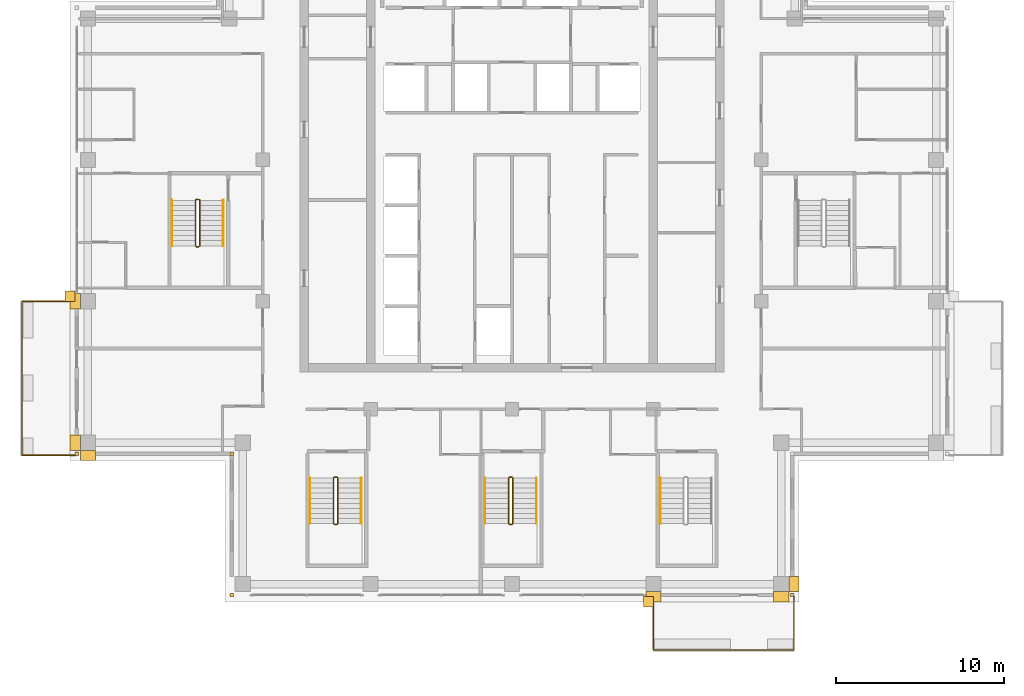
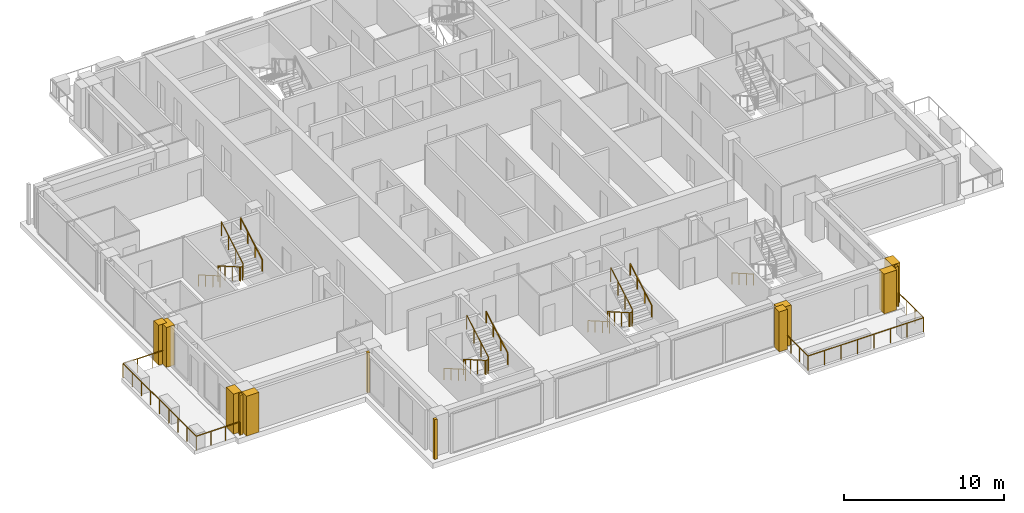
# One storey, part 17 of 19: 12 coverings, 12 railings.
"""IFC4 building model written with IfcOpenShell, lengths in metres."""

from ifc_helpers import new_model, si_unit, direction, frame, origin, origin_2d, place, context, subcontext, project, spatial, polyline, rectangle, outline, extrude, material, type_object, element, save


model = new_model("IFC4")

# Units and contexts
model_context = context("Model", 3, precision=1e-05, world=origin(), true_north=direction((0.0, 1.0)))
body_context = subcontext(model_context, "Body", "Model", "MODEL_VIEW")
ifc_project = project(units=[si_unit("LENGTHUNIT", "METRE"), si_unit("AREAUNIT", "SQUARE_METRE"), si_unit("VOLUMEUNIT", "CUBIC_METRE"), si_unit("PLANEANGLEUNIT", "RADIAN"), si_unit("MASSUNIT", "GRAM", prefix="KILO")], contexts=[model_context])

# Site, building, storey
site_placement = place(None, origin())
site = spatial("IfcSite", under=ifc_project, at=site_placement, CompositionType="ELEMENT")
building_placement = place(site_placement, origin())
building = spatial("IfcBuilding", under=site, at=building_placement, Name="Vermilion Ogive Tower", CompositionType="ELEMENT")
storey_placement = place(building_placement, frame((0.0, 0.0, 226.89990234375)))
storey = spatial("IfcBuildingStorey", under=building, at=storey_placement, Name="L59", CompositionType="ELEMENT", Elevation=226.89990234375)

# Railings
ifc_material_1 = material(Name="Stainless steel and glass", Category="steel")
railing_type_1 = type_object("IfcRailingType", Name="Balcony guard", PredefinedType="GUARDRAIL", material=ifc_material_1)
railing_1_placement = place(storey_placement, frame((8.39990234375, -21.75, -0.039794921875)))
element("IfcRailing", 1, at=railing_1_placement, inside=storey, type_object=railing_type_1, Name="Guard S04", PredefinedType="GUARDRAIL", context=body_context, shape_type="SweptSolid", body=[
    extrude(rectangle(XDim=0.048095703125, YDim=0.048095703125, at=origin_2d()), frame((0.0, 0.0, 1.076171875), z_axis=(0.0, -1.0, 0.0), x_axis=(1.0, 0.0, 0.0)), (0.0, 0.0, 1.0), 3.159912109375),
    extrude(rectangle(XDim=0.048095703125, YDim=0.048095703125, at=origin_2d()), frame((0.0, -3.159912109375, 1.076171875), z_axis=(1.0, 0.0, 0.0), x_axis=(0.0, 1.0, 0.0)), (0.0, 0.0, 1.0), 8.35009765625),
    extrude(rectangle(XDim=0.048095703125, YDim=0.048095703125, at=origin_2d()), frame((8.35009765625, -3.159912109375, 1.076171875), z_axis=(0.0, 1.0, 0.0), x_axis=(-1.0, 0.0, 0.0)), (0.0, 0.0, 1.0), 3.159912109375),
    extrude(rectangle(XDim=0.0419921875, YDim=0.0419921875, at=origin_2d()), origin(), (0.0, 0.0, 1.0), 1.052001953125),
    extrude(rectangle(XDim=0.0419921875, YDim=0.0419921875, at=origin_2d()), frame((0.0, -1.05322265625, 0.0)), (0.0, 0.0, 1.0), 1.052001953125),
    extrude(rectangle(XDim=0.0419921875, YDim=0.0419921875, at=origin_2d()), frame((0.0, -2.106689453125, 0.0)), (0.0, 0.0, 1.0), 1.052001953125),
    extrude(rectangle(XDim=0.0419921875, YDim=0.0419921875, at=origin_2d()), frame((0.0, -3.159912109375, 0.0)), (0.0, 0.0, 1.0), 1.052001953125),
    extrude(rectangle(XDim=0.0419921875, YDim=0.0419921875, at=origin_2d()), frame((1.19287109375, -3.159912109375, 0.0)), (0.0, 0.0, 1.0), 1.052001953125),
    extrude(rectangle(XDim=0.0419921875, YDim=0.0419921875, at=origin_2d()), frame((2.3857421875, -3.159912109375, 0.0)), (0.0, 0.0, 1.0), 1.052001953125),
    extrude(rectangle(XDim=0.0419921875, YDim=0.0419921875, at=origin_2d()), frame((3.57861328125, -3.159912109375, 0.0)), (0.0, 0.0, 1.0), 1.052001953125),
    extrude(rectangle(XDim=0.0419921875, YDim=0.0419921875, at=origin_2d()), frame((4.771484375, -3.159912109375, 0.0)), (0.0, 0.0, 1.0), 1.052001953125),
    extrude(rectangle(XDim=0.0419921875, YDim=0.0419921875, at=origin_2d()), frame((5.96435546875, -3.159912109375, 0.0)), (0.0, 0.0, 1.0), 1.052001953125),
    extrude(rectangle(XDim=0.0419921875, YDim=0.0419921875, at=origin_2d()), frame((7.1572265625, -3.159912109375, 0.0)), (0.0, 0.0, 1.0), 1.052001953125),
    extrude(rectangle(XDim=0.0419921875, YDim=0.0419921875, at=origin_2d()), frame((8.35009765625, -3.159912109375, 0.0)), (0.0, 0.0, 1.0), 1.052001953125),
    extrude(rectangle(XDim=0.0419921875, YDim=0.0419921875, at=origin_2d()), frame((8.35009765625, -2.106689453125, 0.0)), (0.0, 0.0, 1.0), 1.052001953125),
    extrude(rectangle(XDim=0.0419921875, YDim=0.0419921875, at=origin_2d()), frame((8.35009765625, -1.05322265625, 0.0)), (0.0, 0.0, 1.0), 1.052001953125),
    extrude(rectangle(XDim=0.0419921875, YDim=0.0419921875, at=origin_2d()), frame((8.35009765625, 0.0, 0.0)), (0.0, 0.0, 1.0), 1.052001953125),
])
railing_2_placement = place(storey_placement, frame((-25.949951171875, -4.199951171875, -0.039794921875)))
element("IfcRailing", 2, at=railing_2_placement, inside=storey, type_object=railing_type_1, Name="Guard W03", PredefinedType="GUARDRAIL", context=body_context, shape_type="SweptSolid", body=[
    extrude(rectangle(XDim=0.048095703125, YDim=0.048095703125, at=origin_2d()), frame((0.0, 0.0, 1.076171875), z_axis=(-1.0, 0.0, 0.0), x_axis=(0.0, -1.0, 0.0)), (0.0, 0.0, 1.0), 3.16015625),
    extrude(rectangle(XDim=0.048095703125, YDim=0.048095703125, at=origin_2d()), frame((-3.16015625, 0.0, 1.076171875), z_axis=(0.0, -1.0, 0.0), x_axis=(1.0, 0.0, 0.0)), (0.0, 0.0, 1.0), 9.150146484375),
    extrude(rectangle(XDim=0.048095703125, YDim=0.048095703125, at=origin_2d()), frame((-3.16015625, -9.150146484375, 1.076171875), z_axis=(1.0, 0.0, 0.0), x_axis=(0.0, 1.0, 0.0)), (0.0, 0.0, 1.0), 3.16015625),
    extrude(rectangle(XDim=0.0419921875, YDim=0.0419921875, at=origin_2d()), origin(), (0.0, 0.0, 1.0), 1.052001953125),
    extrude(rectangle(XDim=0.0419921875, YDim=0.0419921875, at=origin_2d()), frame((-1.053466796875, 0.0, 0.0)), (0.0, 0.0, 1.0), 1.052001953125),
    extrude(rectangle(XDim=0.0419921875, YDim=0.0419921875, at=origin_2d()), frame((-2.106689453125, 0.0, 0.0)), (0.0, 0.0, 1.0), 1.052001953125),
    extrude(rectangle(XDim=0.0419921875, YDim=0.0419921875, at=origin_2d()), frame((-3.16015625, 0.0, 0.0)), (0.0, 0.0, 1.0), 1.052001953125),
    extrude(rectangle(XDim=0.0419921875, YDim=0.0419921875, at=origin_2d()), frame((-3.16015625, -1.143798828125, 0.0)), (0.0, 0.0, 1.0), 1.052001953125),
    extrude(rectangle(XDim=0.0419921875, YDim=0.0419921875, at=origin_2d()), frame((-3.16015625, -2.28759765625, 0.0)), (0.0, 0.0, 1.0), 1.052001953125),
    extrude(rectangle(XDim=0.0419921875, YDim=0.0419921875, at=origin_2d()), frame((-3.16015625, -3.431396484375, 0.0)), (0.0, 0.0, 1.0), 1.052001953125),
    extrude(rectangle(XDim=0.0419921875, YDim=0.0419921875, at=origin_2d()), frame((-3.16015625, -4.5751953125, 0.0)), (0.0, 0.0, 1.0), 1.052001953125),
    extrude(rectangle(XDim=0.0419921875, YDim=0.0419921875, at=origin_2d()), frame((-3.16015625, -5.71875, 0.0)), (0.0, 0.0, 1.0), 1.052001953125),
    extrude(rectangle(XDim=0.0419921875, YDim=0.0419921875, at=origin_2d()), frame((-3.16015625, -6.862548828125, 0.0)), (0.0, 0.0, 1.0), 1.052001953125),
    extrude(rectangle(XDim=0.0419921875, YDim=0.0419921875, at=origin_2d()), frame((-3.16015625, -8.00634765625, 0.0)), (0.0, 0.0, 1.0), 1.052001953125),
    extrude(rectangle(XDim=0.0419921875, YDim=0.0419921875, at=origin_2d()), frame((-3.16015625, -9.150146484375, 0.0)), (0.0, 0.0, 1.0), 1.052001953125),
    extrude(rectangle(XDim=0.0419921875, YDim=0.0419921875, at=origin_2d()), frame((-2.106689453125, -9.150146484375, 0.0)), (0.0, 0.0, 1.0), 1.052001953125),
    extrude(rectangle(XDim=0.0419921875, YDim=0.0419921875, at=origin_2d()), frame((-1.053466796875, -9.150146484375, 0.0)), (0.0, 0.0, 1.0), 1.052001953125),
    extrude(rectangle(XDim=0.0419921875, YDim=0.0419921875, at=origin_2d()), frame((0.0, -9.150146484375, 0.0)), (0.0, 0.0, 1.0), 1.052001953125),
])
ifc_material_2 = material(Name="Steel S355 painted", Category="steel")
railing_type_2 = type_object("IfcRailingType", Name="Stair guard 1100", PredefinedType="GUARDRAIL", material=ifc_material_2)
railing_3_placement = place(storey_placement, frame((-10.39990234375, -14.64990234375, 0.0)))
element("IfcRailing", 3, at=railing_3_placement, inside=storey, type_object=railing_type_2, Name="L59 ST3 stair guard 4", PredefinedType="GUARDRAIL", context=body_context, shape_type="SweptSolid", body=[
    extrude(rectangle(XDim=0.048095703125, YDim=0.048095703125, at=origin_2d()), frame((0.0, 0.0, 1.076171875), z_axis=(-1.0, 0.0, 0.0), x_axis=(0.0, -1.0, 0.0)), (0.0, 0.0, 1.0), 0.150146484375),
    extrude(rectangle(XDim=0.048095703125, YDim=0.048095703125, at=origin_2d()), frame((-0.150146484375, 0.0, 1.076171875), z_axis=(-0.268277960024, -0.268277960024, 0.925231793839), x_axis=(0.707106781187, -0.707106781187, 0.0)), (0.0, 0.0, 1.0), 0.1865234375),
    extrude(rectangle(XDim=0.048095703125, YDim=0.048095703125, at=origin_2d()), frame((-0.2001953125, -0.050048828125, 1.24853515625), z_axis=(0.0, -0.866903762492, 0.498475542607), x_axis=(1.0, 0.0, 0.0)), (0.0, 0.0, 1.0), 3.114501953125),
    extrude(rectangle(XDim=0.048095703125, YDim=0.048095703125, at=origin_2d()), frame((-0.2001953125, -2.75, 2.80126953125), z_axis=(0.707106781187, -0.707106781187, 0.0), x_axis=(0.707106781187, 0.707106781187, 0.0)), (0.0, 0.0, 1.0), 0.07080078125),
    extrude(rectangle(XDim=0.048095703125, YDim=0.048095703125, at=origin_2d()), frame((-0.150146484375, -2.800048828125, 2.80126953125), z_axis=(1.0, 0.0, 0.0), x_axis=(0.0, 1.0, 0.0)), (0.0, 0.0, 1.0), 0.150146484375),
    extrude(rectangle(XDim=0.048095703125, YDim=0.048095703125, at=origin_2d()), frame((0.0, -2.800048828125, 2.80126953125), z_axis=(0.267062837333, 0.268371968888, 0.925556009775), x_axis=(-0.708833529934, 0.705375805398, 0.0)), (0.0, 0.0, 1.0), 0.1865234375),
    extrude(rectangle(XDim=0.048095703125, YDim=0.048095703125, at=origin_2d()), frame((0.0498046875, -2.75, 2.9736328125), z_axis=(0.0, 0.866903762492, 0.498475542607), x_axis=(-1.0, 0.0, 0.0)), (0.0, 0.0, 1.0), 3.114501953125),
    extrude(rectangle(XDim=0.0419921875, YDim=0.0419921875, at=origin_2d()), origin(), (0.0, 0.0, 1.0), 1.052001953125),
    extrude(rectangle(XDim=0.0419921875, YDim=0.0419921875, at=origin_2d()), frame((-0.150146484375, 0.0, 0.0)), (0.0, 0.0, 1.0), 1.052001953125),
    extrude(rectangle(XDim=0.0419921875, YDim=0.0419921875, at=origin_2d()), frame((-0.2001953125, -0.050048828125, 0.172607421875)), (0.0, 0.0, 1.0), 1.052001953125),
    extrude(rectangle(XDim=0.0419921875, YDim=0.0419921875, at=origin_2d()), frame((-0.2001953125, -0.949951171875, 0.690185546875)), (0.0, 0.0, 1.0), 1.052001953125),
    extrude(rectangle(XDim=0.0419921875, YDim=0.0419921875, at=origin_2d()), frame((-0.2001953125, -1.85009765625, 1.20751953125)), (0.0, 0.0, 1.0), 1.052001953125),
    extrude(rectangle(XDim=0.0419921875, YDim=0.0419921875, at=origin_2d()), frame((-0.2001953125, -2.75, 1.72509765625)), (0.0, 0.0, 1.0), 1.052001953125),
    extrude(rectangle(XDim=0.0419921875, YDim=0.0419921875, at=origin_2d()), frame((-0.150146484375, -2.800048828125, 1.72509765625)), (0.0, 0.0, 1.0), 1.052001953125),
    extrude(rectangle(XDim=0.0419921875, YDim=0.0419921875, at=origin_2d()), frame((0.0, -2.800048828125, 1.72509765625)), (0.0, 0.0, 1.0), 1.052001953125),
    extrude(rectangle(XDim=0.0419921875, YDim=0.0419921875, at=origin_2d()), frame((0.0498046875, -2.75, 1.897705078125)), (0.0, 0.0, 1.0), 1.052001953125),
    extrude(rectangle(XDim=0.0419921875, YDim=0.0419921875, at=origin_2d()), frame((0.0498046875, -1.85009765625, 2.415283203125)), (0.0, 0.0, 1.0), 1.052001953125),
    extrude(rectangle(XDim=0.0419921875, YDim=0.0419921875, at=origin_2d()), frame((0.0498046875, -0.949951171875, 2.9326171875)), (0.0, 0.0, 1.0), 1.052001953125),
    extrude(rectangle(XDim=0.0419921875, YDim=0.0419921875, at=origin_2d()), frame((0.0498046875, -0.050048828125, 3.4501953125)), (0.0, 0.0, 1.0), 1.052001953125),
])
railing_4_placement = place(storey_placement, frame((0.0, -14.64990234375, 0.0)))
element("IfcRailing", 4, at=railing_4_placement, inside=storey, type_object=railing_type_2, Name="L59 ST4 stair guard 4", PredefinedType="GUARDRAIL", context=body_context, shape_type="SweptSolid", body=[
    extrude(rectangle(XDim=0.048095703125, YDim=0.048095703125, at=origin_2d()), frame((0.0, 0.0, 1.076171875), z_axis=(-1.0, 0.0, 0.0), x_axis=(0.0, -1.0, 0.0)), (0.0, 0.0, 1.0), 0.14990234375),
    extrude(rectangle(XDim=0.048095703125, YDim=0.048095703125, at=origin_2d()), frame((-0.14990234375, 0.0, 1.076171875), z_axis=(-0.268277960024, -0.268277960024, 0.925231793839), x_axis=(0.707106781187, -0.707106781187, 0.0)), (0.0, 0.0, 1.0), 0.1865234375),
    extrude(rectangle(XDim=0.048095703125, YDim=0.048095703125, at=origin_2d()), frame((-0.199951171875, -0.050048828125, 1.24853515625), z_axis=(0.0, -0.866903762492, 0.498475542607), x_axis=(1.0, 0.0, 0.0)), (0.0, 0.0, 1.0), 3.114501953125),
    extrude(rectangle(XDim=0.048095703125, YDim=0.048095703125, at=origin_2d()), frame((-0.199951171875, -2.75, 2.80126953125), z_axis=(0.707106781187, -0.707106781187, 0.0), x_axis=(0.707106781187, 0.707106781187, 0.0)), (0.0, 0.0, 1.0), 0.07080078125),
    extrude(rectangle(XDim=0.048095703125, YDim=0.048095703125, at=origin_2d()), frame((-0.14990234375, -2.800048828125, 2.80126953125), z_axis=(1.0, 0.0, 0.0), x_axis=(0.0, 1.0, 0.0)), (0.0, 0.0, 1.0), 0.14990234375),
    extrude(rectangle(XDim=0.048095703125, YDim=0.048095703125, at=origin_2d()), frame((0.0, -2.800048828125, 2.80126953125), z_axis=(0.268277960024, 0.268277960024, 0.925231793839), x_axis=(-0.707106781187, 0.707106781187, 0.0)), (0.0, 0.0, 1.0), 0.1865234375),
    extrude(rectangle(XDim=0.048095703125, YDim=0.048095703125, at=origin_2d()), frame((0.050048828125, -2.75, 2.9736328125), z_axis=(0.0, 0.866903762492, 0.498475542607), x_axis=(-1.0, 0.0, 0.0)), (0.0, 0.0, 1.0), 3.114501953125),
    extrude(rectangle(XDim=0.0419921875, YDim=0.0419921875, at=origin_2d()), origin(), (0.0, 0.0, 1.0), 1.052001953125),
    extrude(rectangle(XDim=0.0419921875, YDim=0.0419921875, at=origin_2d()), frame((-0.14990234375, 0.0, 0.0)), (0.0, 0.0, 1.0), 1.052001953125),
    extrude(rectangle(XDim=0.0419921875, YDim=0.0419921875, at=origin_2d()), frame((-0.199951171875, -0.050048828125, 0.172607421875)), (0.0, 0.0, 1.0), 1.052001953125),
    extrude(rectangle(XDim=0.0419921875, YDim=0.0419921875, at=origin_2d()), frame((-0.199951171875, -0.949951171875, 0.690185546875)), (0.0, 0.0, 1.0), 1.052001953125),
    extrude(rectangle(XDim=0.0419921875, YDim=0.0419921875, at=origin_2d()), frame((-0.199951171875, -1.85009765625, 1.20751953125)), (0.0, 0.0, 1.0), 1.052001953125),
    extrude(rectangle(XDim=0.0419921875, YDim=0.0419921875, at=origin_2d()), frame((-0.199951171875, -2.75, 1.72509765625)), (0.0, 0.0, 1.0), 1.052001953125),
    extrude(rectangle(XDim=0.0419921875, YDim=0.0419921875, at=origin_2d()), frame((-0.14990234375, -2.800048828125, 1.72509765625)), (0.0, 0.0, 1.0), 1.052001953125),
    extrude(rectangle(XDim=0.0419921875, YDim=0.0419921875, at=origin_2d()), frame((0.0, -2.800048828125, 1.72509765625)), (0.0, 0.0, 1.0), 1.052001953125),
    extrude(rectangle(XDim=0.0419921875, YDim=0.0419921875, at=origin_2d()), frame((0.050048828125, -2.75, 1.897705078125)), (0.0, 0.0, 1.0), 1.052001953125),
    extrude(rectangle(XDim=0.0419921875, YDim=0.0419921875, at=origin_2d()), frame((0.050048828125, -1.85009765625, 2.415283203125)), (0.0, 0.0, 1.0), 1.052001953125),
    extrude(rectangle(XDim=0.0419921875, YDim=0.0419921875, at=origin_2d()), frame((0.050048828125, -0.949951171875, 2.9326171875)), (0.0, 0.0, 1.0), 1.052001953125),
    extrude(rectangle(XDim=0.0419921875, YDim=0.0419921875, at=origin_2d()), frame((0.050048828125, -0.050048828125, 3.4501953125)), (0.0, 0.0, 1.0), 1.052001953125),
])
railing_5_placement = place(storey_placement, frame((-18.60009765625, 1.85009765625, 0.0)))
element("IfcRailing", 5, at=railing_5_placement, inside=storey, type_object=railing_type_2, Name="L59 ST9 stair guard 4", PredefinedType="GUARDRAIL", context=body_context, shape_type="SweptSolid", body=[
    extrude(rectangle(XDim=0.048095703125, YDim=0.048095703125, at=origin_2d()), frame((0.0, 0.0, 1.076171875), z_axis=(-1.0, 0.0, 0.0), x_axis=(0.0, -1.0, 0.0)), (0.0, 0.0, 1.0), 0.14990234375),
    extrude(rectangle(XDim=0.048095703125, YDim=0.048095703125, at=origin_2d()), frame((-0.14990234375, 0.0, 1.076171875), z_axis=(-0.268277960024, -0.268277960024, 0.925231793839), x_axis=(0.707106781187, -0.707106781187, 0.0)), (0.0, 0.0, 1.0), 0.1865234375),
    extrude(rectangle(XDim=0.048095703125, YDim=0.048095703125, at=origin_2d()), frame((-0.199951171875, -0.050048828125, 1.24853515625), z_axis=(0.0, -0.866903762492, 0.498475542607), x_axis=(1.0, 0.0, 0.0)), (0.0, 0.0, 1.0), 3.114501953125),
    extrude(rectangle(XDim=0.048095703125, YDim=0.048095703125, at=origin_2d()), frame((-0.199951171875, -2.75, 2.80126953125), z_axis=(0.707106781187, -0.707106781187, 0.0), x_axis=(0.707106781187, 0.707106781187, 0.0)), (0.0, 0.0, 1.0), 0.07080078125),
    extrude(rectangle(XDim=0.048095703125, YDim=0.048095703125, at=origin_2d()), frame((-0.14990234375, -2.800048828125, 2.80126953125), z_axis=(1.0, 0.0, 0.0), x_axis=(0.0, 1.0, 0.0)), (0.0, 0.0, 1.0), 0.14990234375),
    extrude(rectangle(XDim=0.048095703125, YDim=0.048095703125, at=origin_2d()), frame((0.0, -2.800048828125, 2.80126953125), z_axis=(0.268277960024, 0.268277960024, 0.925231793839), x_axis=(-0.707106781187, 0.707106781187, 0.0)), (0.0, 0.0, 1.0), 0.1865234375),
    extrude(rectangle(XDim=0.048095703125, YDim=0.048095703125, at=origin_2d()), frame((0.050048828125, -2.75, 2.9736328125), z_axis=(0.0, 0.866903762492, 0.498475542607), x_axis=(-1.0, 0.0, 0.0)), (0.0, 0.0, 1.0), 3.114501953125),
    extrude(rectangle(XDim=0.0419921875, YDim=0.0419921875, at=origin_2d()), origin(), (0.0, 0.0, 1.0), 1.052001953125),
    extrude(rectangle(XDim=0.0419921875, YDim=0.0419921875, at=origin_2d()), frame((-0.14990234375, 0.0, 0.0)), (0.0, 0.0, 1.0), 1.052001953125),
    extrude(rectangle(XDim=0.0419921875, YDim=0.0419921875, at=origin_2d()), frame((-0.199951171875, -0.050048828125, 0.172607421875)), (0.0, 0.0, 1.0), 1.052001953125),
    extrude(rectangle(XDim=0.0419921875, YDim=0.0419921875, at=origin_2d()), frame((-0.199951171875, -0.949951171875, 0.690185546875)), (0.0, 0.0, 1.0), 1.052001953125),
    extrude(rectangle(XDim=0.0419921875, YDim=0.0419921875, at=origin_2d()), frame((-0.199951171875, -1.85009765625, 1.20751953125)), (0.0, 0.0, 1.0), 1.052001953125),
    extrude(rectangle(XDim=0.0419921875, YDim=0.0419921875, at=origin_2d()), frame((-0.199951171875, -2.75, 1.72509765625)), (0.0, 0.0, 1.0), 1.052001953125),
    extrude(rectangle(XDim=0.0419921875, YDim=0.0419921875, at=origin_2d()), frame((-0.14990234375, -2.800048828125, 1.72509765625)), (0.0, 0.0, 1.0), 1.052001953125),
    extrude(rectangle(XDim=0.0419921875, YDim=0.0419921875, at=origin_2d()), frame((0.0, -2.800048828125, 1.72509765625)), (0.0, 0.0, 1.0), 1.052001953125),
    extrude(rectangle(XDim=0.0419921875, YDim=0.0419921875, at=origin_2d()), frame((0.050048828125, -2.75, 1.897705078125)), (0.0, 0.0, 1.0), 1.052001953125),
    extrude(rectangle(XDim=0.0419921875, YDim=0.0419921875, at=origin_2d()), frame((0.050048828125, -1.85009765625, 2.415283203125)), (0.0, 0.0, 1.0), 1.052001953125),
    extrude(rectangle(XDim=0.0419921875, YDim=0.0419921875, at=origin_2d()), frame((0.050048828125, -0.949951171875, 2.9326171875)), (0.0, 0.0, 1.0), 1.052001953125),
    extrude(rectangle(XDim=0.0419921875, YDim=0.0419921875, at=origin_2d()), frame((0.050048828125, -0.050048828125, 3.4501953125)), (0.0, 0.0, 1.0), 1.052001953125),
])
ifc_material_3 = material(Name="Stainless steel", Category="steel")
railing_type_3 = type_object("IfcRailingType", Name="Stair handrail 900", PredefinedType="HANDRAIL", material=ifc_material_3)
railing_6_placement = place(storey_placement, frame((-12.0, -14.699951171875, 0.172607421875)))
element("IfcRailing", 6, at=railing_6_placement, inside=storey, type_object=railing_type_3, Name="L59 ST3 stair handrail 1", PredefinedType="HANDRAIL", context=body_context, shape_type="SweptSolid", body=[
    extrude(rectangle(XDim=0.048095703125, YDim=0.048095703125, at=origin_2d()), frame((0.0, 0.0, 0.8759765625), z_axis=(0.0, -0.866903762492, 0.498475542607), x_axis=(1.0, 0.0, 0.0)), (0.0, 0.0, 1.0), 3.114501953125),
    extrude(rectangle(XDim=0.0419921875, YDim=0.0419921875, at=origin_2d()), origin(), (0.0, 0.0, 1.0), 0.851806640625),
    extrude(rectangle(XDim=0.0419921875, YDim=0.0419921875, at=origin_2d()), frame((0.0, -0.89990234375, 0.517578125)), (0.0, 0.0, 1.0), 0.851806640625),
    extrude(rectangle(XDim=0.0419921875, YDim=0.0419921875, at=origin_2d()), frame((0.0, -1.800048828125, 1.034912109375)), (0.0, 0.0, 1.0), 0.851806640625),
    extrude(rectangle(XDim=0.0419921875, YDim=0.0419921875, at=origin_2d()), frame((0.0, -2.699951171875, 1.552490234375)), (0.0, 0.0, 1.0), 0.851806640625),
])
railing_7_placement = place(storey_placement, frame((-8.949951171875, -17.39990234375, 1.897705078125)))
element("IfcRailing", 7, at=railing_7_placement, inside=storey, type_object=railing_type_3, Name="L59 ST3 stair handrail 2", PredefinedType="HANDRAIL", context=body_context, shape_type="SweptSolid", body=[
    extrude(rectangle(XDim=0.048095703125, YDim=0.048095703125, at=origin_2d()), frame((0.0, 0.0, 0.8759765625), z_axis=(0.0, 0.866903762492, 0.498475542607), x_axis=(-1.0, 0.0, 0.0)), (0.0, 0.0, 1.0), 3.114501953125),
    extrude(rectangle(XDim=0.0419921875, YDim=0.0419921875, at=origin_2d()), origin(), (0.0, 0.0, 1.0), 0.851806640625),
    extrude(rectangle(XDim=0.0419921875, YDim=0.0419921875, at=origin_2d()), frame((0.0, 0.89990234375, 0.517578125)), (0.0, 0.0, 1.0), 0.851806640625),
    extrude(rectangle(XDim=0.0419921875, YDim=0.0419921875, at=origin_2d()), frame((0.0, 1.800048828125, 1.034912109375)), (0.0, 0.0, 1.0), 0.851806640625),
    extrude(rectangle(XDim=0.0419921875, YDim=0.0419921875, at=origin_2d()), frame((0.0, 2.699951171875, 1.552490234375)), (0.0, 0.0, 1.0), 0.851806640625),
])
railing_8_placement = place(storey_placement, frame((-1.60009765625, -14.699951171875, 0.172607421875)))
element("IfcRailing", 8, at=railing_8_placement, inside=storey, type_object=railing_type_3, Name="L59 ST4 stair handrail 1", PredefinedType="HANDRAIL", context=body_context, shape_type="SweptSolid", body=[
    extrude(rectangle(XDim=0.048095703125, YDim=0.048095703125, at=origin_2d()), frame((0.0, 0.0, 0.8759765625), z_axis=(0.0, -0.866903762492, 0.498475542607), x_axis=(1.0, 0.0, 0.0)), (0.0, 0.0, 1.0), 3.114501953125),
    extrude(rectangle(XDim=0.0419921875, YDim=0.0419921875, at=origin_2d()), origin(), (0.0, 0.0, 1.0), 0.851806640625),
    extrude(rectangle(XDim=0.0419921875, YDim=0.0419921875, at=origin_2d()), frame((0.0, -0.89990234375, 0.517578125)), (0.0, 0.0, 1.0), 0.851806640625),
    extrude(rectangle(XDim=0.0419921875, YDim=0.0419921875, at=origin_2d()), frame((0.0, -1.800048828125, 1.034912109375)), (0.0, 0.0, 1.0), 0.851806640625),
    extrude(rectangle(XDim=0.0419921875, YDim=0.0419921875, at=origin_2d()), frame((0.0, -2.699951171875, 1.552490234375)), (0.0, 0.0, 1.0), 0.851806640625),
])
railing_9_placement = place(storey_placement, frame((1.449951171875, -17.39990234375, 1.897705078125)))
element("IfcRailing", 9, at=railing_9_placement, inside=storey, type_object=railing_type_3, Name="L59 ST4 stair handrail 2", PredefinedType="HANDRAIL", context=body_context, shape_type="SweptSolid", body=[
    extrude(rectangle(XDim=0.048095703125, YDim=0.048095703125, at=origin_2d()), frame((0.0, 0.0, 0.8759765625), z_axis=(0.0, 0.866903762492, 0.498475542607), x_axis=(-1.0, 0.0, 0.0)), (0.0, 0.0, 1.0), 3.114501953125),
    extrude(rectangle(XDim=0.0419921875, YDim=0.0419921875, at=origin_2d()), origin(), (0.0, 0.0, 1.0), 0.851806640625),
    extrude(rectangle(XDim=0.0419921875, YDim=0.0419921875, at=origin_2d()), frame((0.0, 0.89990234375, 0.517578125)), (0.0, 0.0, 1.0), 0.851806640625),
    extrude(rectangle(XDim=0.0419921875, YDim=0.0419921875, at=origin_2d()), frame((0.0, 1.800048828125, 1.034912109375)), (0.0, 0.0, 1.0), 0.851806640625),
    extrude(rectangle(XDim=0.0419921875, YDim=0.0419921875, at=origin_2d()), frame((0.0, 2.699951171875, 1.552490234375)), (0.0, 0.0, 1.0), 0.851806640625),
])
for number, where, name in (
    (10, (8.800048828125, -14.699951171875, 0.172607421875), "L59 ST5 stair handrail 1"),
    (11, (-20.199951171875, 1.800048828125, 0.172607421875), "L59 ST9 stair handrail 1"),
):
    element("IfcRailing", number, at=place(storey_placement, frame(where)), inside=storey, type_object=railing_type_3, Name=name, PredefinedType="HANDRAIL", context=body_context, shape_type="SweptSolid", body=[
        extrude(rectangle(XDim=0.048095703125, YDim=0.048095703125, at=origin_2d()), frame((0.0, 0.0, 0.8759765625), z_axis=(0.0, -0.866903762492, 0.498475542607), x_axis=(1.0, 0.0, 0.0)), (0.0, 0.0, 1.0), 3.114501953125),
        extrude(rectangle(XDim=0.0419921875, YDim=0.0419921875, at=origin_2d()), origin(), (0.0, 0.0, 1.0), 0.851806640625),
        extrude(rectangle(XDim=0.0419921875, YDim=0.0419921875, at=origin_2d()), frame((0.0, -0.89990234375, 0.517578125)), (0.0, 0.0, 1.0), 0.851806640625),
        extrude(rectangle(XDim=0.0419921875, YDim=0.0419921875, at=origin_2d()), frame((0.0, -1.800048828125, 1.034912109375)), (0.0, 0.0, 1.0), 0.851806640625),
        extrude(rectangle(XDim=0.0419921875, YDim=0.0419921875, at=origin_2d()), frame((0.0, -2.699951171875, 1.552490234375)), (0.0, 0.0, 1.0), 0.851806640625),
    ])
railing_10_placement = place(storey_placement, frame((-17.14990234375, -0.89990234375, 1.897705078125)))
element("IfcRailing", 12, at=railing_10_placement, inside=storey, type_object=railing_type_3, Name="L59 ST9 stair handrail 2", PredefinedType="HANDRAIL", context=body_context, shape_type="SweptSolid", body=[
    extrude(rectangle(XDim=0.048095703125, YDim=0.048095703125, at=origin_2d()), frame((0.0, 0.0, 0.8759765625), z_axis=(0.0, 0.866903762492, 0.498475542607), x_axis=(-1.0, 0.0, 0.0)), (0.0, 0.0, 1.0), 3.114501953125),
    extrude(rectangle(XDim=0.0419921875, YDim=0.0419921875, at=origin_2d()), origin(), (0.0, 0.0, 1.0), 0.851806640625),
    extrude(rectangle(XDim=0.0419921875, YDim=0.0419921875, at=origin_2d()), frame((0.0, 0.89990234375, 0.517578125)), (0.0, 0.0, 1.0), 0.851806640625),
    extrude(rectangle(XDim=0.0419921875, YDim=0.0419921875, at=origin_2d()), frame((0.0, 1.800048828125, 1.034912109375)), (0.0, 0.0, 1.0), 0.851806640625),
    extrude(rectangle(XDim=0.0419921875, YDim=0.0419921875, at=origin_2d()), frame((0.0, 2.699951171875, 1.552490234375)), (0.0, 0.0, 1.0), 0.851806640625),
])

# Coverings
ifc_material_4 = material(Name="Stone cladding", Category="masonry")
covering_type_1 = type_object("IfcCoveringType", Name="Stone corner buttress", PredefinedType="CLADDING", material=ifc_material_4)
covering_1_placement = place(storey_placement, origin())
element("IfcCovering", 13, at=covering_1_placement, inside=storey, type_object=covering_type_1, Name="Stone crease pier SK", PredefinedType="CLADDING", context=body_context, shape_type="SweptSolid", body=[
    extrude(outline(polyline([(7.800048828125, -22.35009765625), (8.39990234375, -22.35009765625), (8.39990234375, -21.75), (7.800048828125, -21.75), (7.800048828125, -22.35009765625)])), origin(), (0.0, 0.0, 1.0), 3.050048828125),
])
covering_2_placement = place(storey_placement, origin())
element("IfcCovering", 14, at=covering_2_placement, inside=storey, type_object=covering_type_1, Name="Stone crease pier WK", PredefinedType="CLADDING", context=body_context, shape_type="SweptSolid", body=[
    extrude(outline(polyline([(-26.550048828125, -3.60009765625), (-26.550048828125, -4.199951171875), (-25.949951171875, -4.199951171875), (-25.949951171875, -3.60009765625), (-26.550048828125, -3.60009765625)])), origin(), (0.0, 0.0, 1.0), 3.050048828125),
])
ifc_material_5 = material(Name="Stone cladding", Category="masonry")
covering_type_2 = type_object("IfcCoveringType", Name="Stone pier", PredefinedType="CLADDING", material=ifc_material_5)
covering_3_placement = place(storey_placement, origin())
element("IfcCovering", 15, at=covering_3_placement, inside=storey, type_object=covering_type_2, Name="Stone corner pier SE1", PredefinedType="CLADDING", context=body_context, shape_type="SweptSolid", body=[
    extrude(outline(polyline([(16.550048828125, -21.550048828125), (16.75, -21.550048828125), (16.75, -21.75), (16.550048828125, -21.75), (16.550048828125, -21.550048828125)])), origin(), (0.0, 0.0, 1.0), 3.050048828125),
])
covering_4_placement = place(storey_placement, origin())
element("IfcCovering", 16, at=covering_4_placement, inside=storey, type_object=covering_type_2, Name="Stone corner pier WE1", PredefinedType="CLADDING", context=body_context, shape_type="SweptSolid", body=[
    extrude(outline(polyline([(-25.75, -13.14990234375), (-25.75, -13.35009765625), (-25.949951171875, -13.35009765625), (-25.949951171875, -13.14990234375), (-25.75, -13.14990234375)])), origin(), (0.0, 0.0, 1.0), 3.050048828125),
])
covering_5_placement = place(storey_placement, origin())
element("IfcCovering", 17, at=covering_5_placement, inside=storey, type_object=covering_type_2, Name="Stone corner pier X7E1", PredefinedType="CLADDING", context=body_context, shape_type="SweptSolid", body=[
    extrude(outline(polyline([(-16.550048828125, -13.14990234375), (-16.550048828125, -13.35009765625), (-16.75, -13.35009765625), (-16.75, -13.14990234375), (-16.550048828125, -13.14990234375)])), origin(), (0.0, 0.0, 1.0), 3.050048828125),
])
covering_6_placement = place(storey_placement, origin())
element("IfcCovering", 18, at=covering_6_placement, inside=storey, type_object=covering_type_2, Name="Stone corner pier X8E1", PredefinedType="CLADDING", context=body_context, shape_type="SweptSolid", body=[
    extrude(outline(polyline([(-16.550048828125, -21.550048828125), (-16.550048828125, -21.75), (-16.75, -21.75), (-16.75, -21.550048828125), (-16.550048828125, -21.550048828125)])), origin(), (0.0, 0.0, 1.0), 3.050048828125),
])
covering_7_placement = place(storey_placement, origin())
element("IfcCovering", 19, at=covering_7_placement, inside=storey, type_object=covering_type_2, Name="Stone pier P+0084-210", PredefinedType="CLADDING", context=body_context, shape_type="SweptSolid", body=[
    extrude(outline(polyline([(8.85009765625, -21.449951171875), (8.85009765625, -22.050048828125), (8.39990234375, -22.050048828125), (8.39990234375, -21.75), (7.949951171875, -21.75), (7.949951171875, -21.449951171875), (7.949951171875, -21.449951171875), (8.85009765625, -21.449951171875)])), origin(), (0.0, 0.0, 1.0), 3.050048828125),
])
covering_8_placement = place(storey_placement, origin())
element("IfcCovering", 20, at=covering_8_placement, inside=storey, type_object=covering_type_2, Name="Stone pier P+0160-210S", PredefinedType="CLADDING", context=body_context, shape_type="SweptSolid", body=[
    extrude(outline(polyline([(16.449951171875, -21.449951171875), (16.449951171875, -21.449951171875), (16.449951171875, -22.050048828125), (15.550048828125, -22.050048828125), (15.550048828125, -21.449951171875), (15.550048828125, -21.449951171875), (16.449951171875, -21.449951171875)])), origin(), (0.0, 0.0, 1.0), 3.050048828125),
])
covering_9_placement = place(storey_placement, origin())
element("IfcCovering", 21, at=covering_9_placement, inside=storey, type_object=covering_type_2, Name="Stone pier P+0160-210X1", PredefinedType="CLADDING", context=body_context, shape_type="SweptSolid", body=[
    extrude(outline(polyline([(17.050048828125, -21.449951171875), (16.449951171875, -21.449951171875), (16.449951171875, -21.449951171875), (16.449951171875, -20.550048828125), (17.050048828125, -20.550048828125), (17.050048828125, -21.449951171875)])), origin(), (0.0, 0.0, 1.0), 3.050048828125),
])
covering_10_placement = place(storey_placement, origin())
element("IfcCovering", 22, at=covering_10_placement, inside=storey, type_object=covering_type_2, Name="Stone pier P-0252-042", PredefinedType="CLADDING", context=body_context, shape_type="SweptSolid", body=[
    extrude(outline(polyline([(-26.25, -4.64990234375), (-26.25, -4.199951171875), (-25.949951171875, -4.199951171875), (-25.949951171875, -3.75), (-25.64990234375, -3.75), (-25.64990234375, -4.64990234375), (-26.25, -4.64990234375)])), origin(), (0.0, 0.0, 1.0), 3.050048828125),
])
covering_11_placement = place(storey_placement, origin())
element("IfcCovering", 23, at=covering_11_placement, inside=storey, type_object=covering_type_2, Name="Stone pier P-0252-126W", PredefinedType="CLADDING", context=body_context, shape_type="SweptSolid", body=[
    extrude(outline(polyline([(-26.25, -13.050048828125), (-26.25, -12.14990234375), (-25.64990234375, -12.14990234375), (-25.64990234375, -13.050048828125), (-26.25, -13.050048828125)])), origin(), (0.0, 0.0, 1.0), 3.050048828125),
])
covering_12_placement = place(storey_placement, origin())
element("IfcCovering", 24, at=covering_12_placement, inside=storey, type_object=covering_type_2, Name="Stone pier P-0252-126X7", PredefinedType="CLADDING", context=body_context, shape_type="SweptSolid", body=[
    extrude(outline(polyline([(-25.64990234375, -13.64990234375), (-25.64990234375, -13.050048828125), (-24.75, -13.050048828125), (-24.75, -13.64990234375), (-25.64990234375, -13.64990234375)])), origin(), (0.0, 0.0, 1.0), 3.050048828125),
])

save(model, "model.ifc")
